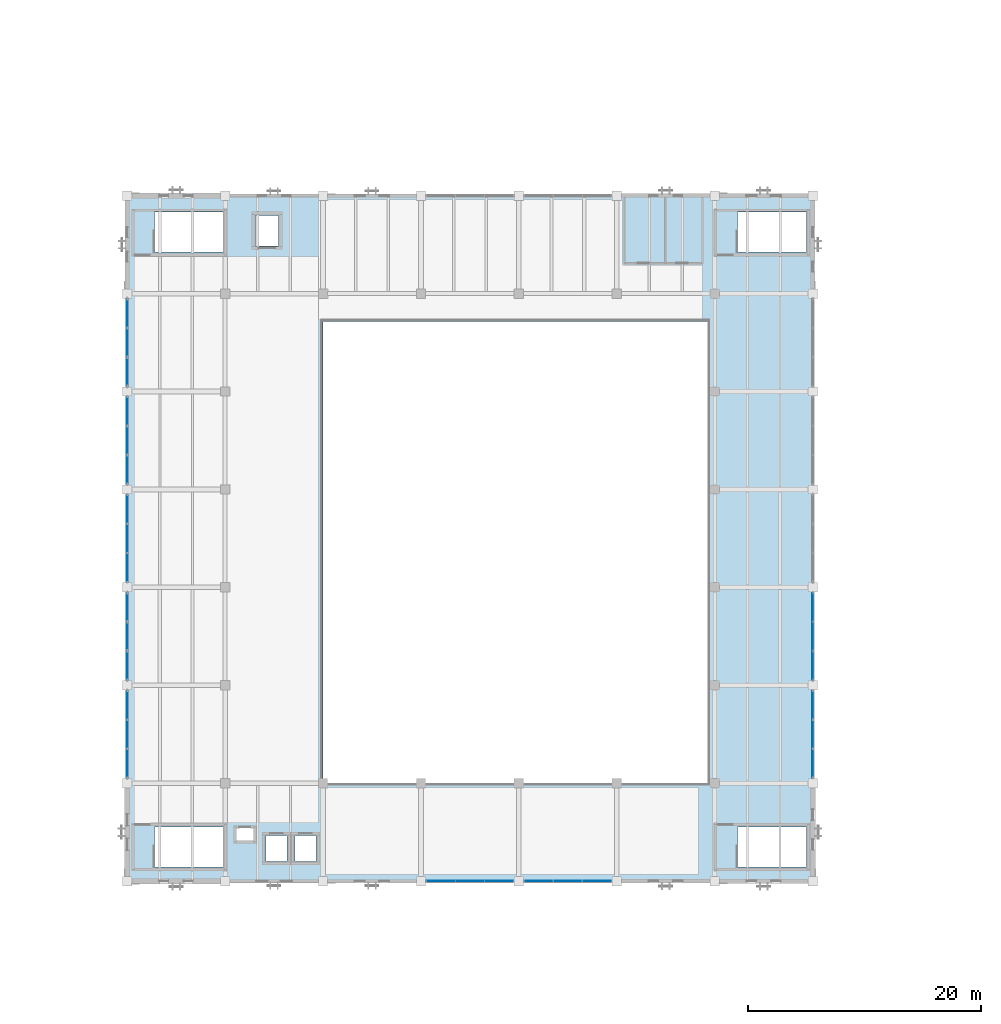
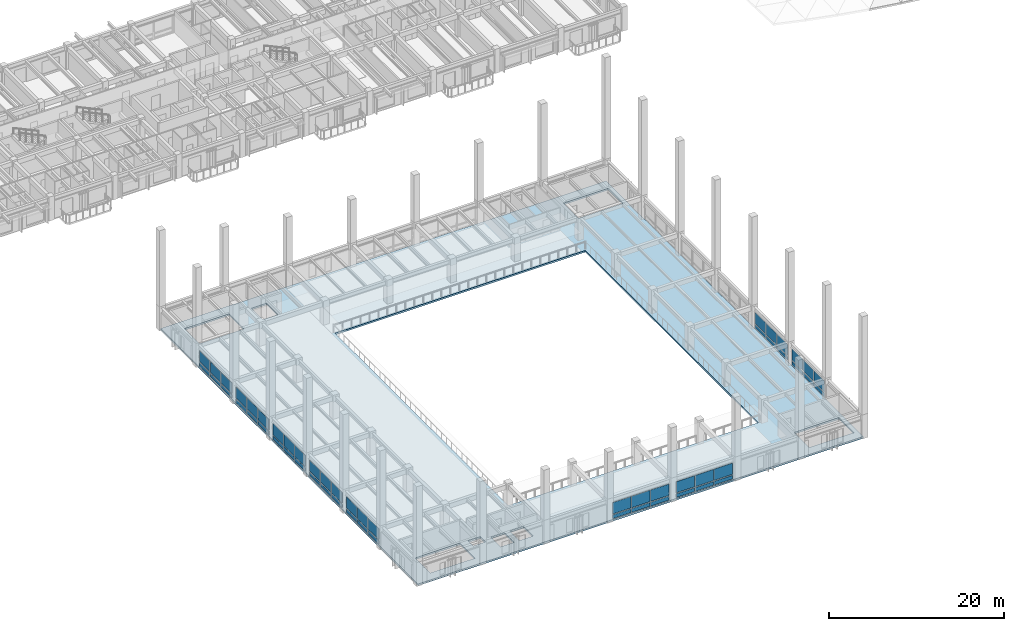
# One storey, part 16 of 64: 54 plates, 1 slab, 9 elements without a shape of their own.
"""IFC4 building model written with IfcOpenShell, lengths in metres."""

from ifc_helpers import new_model, si_unit, direction, frame, origin, origin_2d, place, context, subcontext, project, spatial, polyline, rectangle, outline, extrude, material, layer, layer_set, type_object, element, aggregate, save


model = new_model("IFC4")

# Units and contexts
model_context = context("Model", 3, precision=1e-05, world=origin(), true_north=direction((0.0, 1.0)))
body_context = subcontext(model_context, "Body", "Model", "MODEL_VIEW")
ifc_project = project(units=[si_unit("LENGTHUNIT", "METRE"), si_unit("AREAUNIT", "SQUARE_METRE"), si_unit("VOLUMEUNIT", "CUBIC_METRE"), si_unit("PLANEANGLEUNIT", "RADIAN"), si_unit("MASSUNIT", "GRAM", prefix="KILO")], contexts=[model_context])

# Site, building, storey
site_placement = place(None, origin())
site = spatial("IfcSite", under=ifc_project, at=site_placement, CompositionType="ELEMENT")
building_placement = place(site_placement, origin())
building = spatial("IfcBuilding", under=site, at=building_placement, Name="Cumbredor Promenade Congress Hotel", CompositionType="ELEMENT")
storey_placement = place(building_placement, frame((0.0, 0.0, 18.47998046875)))
storey = spatial("IfcBuildingStorey", under=building, at=storey_placement, Name="L05", CompositionType="ELEMENT", Elevation=18.47998046875)

# Curtain wall, plates
ifc_material_1 = material(Name="Thermally broken anodized aluminium and low-E glass", Category="aluminium")
curtain_wall_type = type_object("IfcCurtainWallType", Name="Unitised Bronze Curtain Wall CW-01", PredefinedType="NOTDEFINED", material=ifc_material_1)
curtain_wall_1_placement = place(storey_placement, origin())
curtain_wall_1 = element("IfcCurtainWall", 1, at=curtain_wall_1_placement, inside=storey, type_object=curtain_wall_type, Name="L05 Plenary Congress Hall South Curtain Wall 4", PredefinedType="NOTDEFINED")
ifc_material_2 = material(Name="Laminated low-E solar-control glass", Category="glass")
ifc_layer_1 = layer(ifc_material_2, 0.028076171875, Name="Laminated low-E solar-control glass", Category="glass")
ifc_layer_set_1 = layer_set([ifc_layer_1], Name="Laminated low-E solar-control glass")
plate_type_1 = type_object("IfcPlateType", Name="Glazed Vision Panel PNL-01", PredefinedType="CURTAIN_PANEL", material=ifc_layer_set_1)
plate_1_placement = place(storey_placement, frame((35.30322265625, 8.39990234375, 0.784912109375), z_axis=(0.0, 0.0, 1.0), x_axis=(1.0, 0.0, 0.0)))
plate_1 = element("IfcPlate", 2, at=plate_1_placement, type_object=plate_type_1, Name="L05 Plenary Congress Hall South Curtain Wall 4 Glazing Panel 1.2", PredefinedType="CURTAIN_PANEL", context=body_context, shape_type="SweptSolid", body=[
    extrude(rectangle(XDim=2.431640625, YDim=0.028076171875, at=origin_2d()), origin(), (0.0, 0.0, 1.0), 1.580078125),
])
plate_2_placement = place(storey_placement, frame((37.800048828125, 8.39990234375, 0.784912109375), z_axis=(0.0, 0.0, 1.0), x_axis=(1.0, 0.0, 0.0)))
plate_2 = element("IfcPlate", 3, at=plate_2_placement, type_object=plate_type_1, Name="L05 Plenary Congress Hall South Curtain Wall 4 Glazing Panel 2.2", PredefinedType="CURTAIN_PANEL", context=body_context, shape_type="SweptSolid", body=[
    extrude(rectangle(XDim=2.431640625, YDim=0.028076171875, at=origin_2d()), origin(), (0.0, 0.0, 1.0), 1.580078125),
])
plate_3_placement = place(storey_placement, frame((40.296630859375, 8.39990234375, 0.784912109375), z_axis=(0.0, 0.0, 1.0), x_axis=(1.0, 0.0, 0.0)))
plate_3 = element("IfcPlate", 4, at=plate_3_placement, type_object=plate_type_1, Name="L05 Plenary Congress Hall South Curtain Wall 4 Glazing Panel 3.2", PredefinedType="CURTAIN_PANEL", context=body_context, shape_type="SweptSolid", body=[
    extrude(rectangle(XDim=2.431640625, YDim=0.028076171875, at=origin_2d()), origin(), (0.0, 0.0, 1.0), 1.580078125),
])

curtain_wall_2_placement = place(storey_placement, origin())
curtain_wall_2 = element("IfcCurtainWall", 5, at=curtain_wall_2_placement, inside=storey, type_object=curtain_wall_type, Name="L05 Plenary Congress Hall West Curtain Wall 4", PredefinedType="NOTDEFINED")
plate_4_placement = place(storey_placement, frame((8.39990234375, 35.30322265625, 0.784912109375), z_axis=(0.0, 0.0, 1.0), x_axis=(0.0, 1.0, 0.0)))
plate_4 = element("IfcPlate", 6, at=plate_4_placement, type_object=plate_type_1, Name="L05 Plenary Congress Hall West Curtain Wall 4 Glazing Panel 1.2", PredefinedType="CURTAIN_PANEL", context=body_context, shape_type="SweptSolid", body=[
    extrude(rectangle(XDim=2.431640625, YDim=0.028076171875, at=origin_2d()), origin(), (0.0, 0.0, 1.0), 1.580078125),
])
plate_5_placement = place(storey_placement, frame((8.39990234375, 37.800048828125, 0.784912109375), z_axis=(0.0, 0.0, 1.0), x_axis=(0.0, 1.0, 0.0)))
plate_5 = element("IfcPlate", 7, at=plate_5_placement, type_object=plate_type_1, Name="L05 Plenary Congress Hall West Curtain Wall 4 Glazing Panel 2.2", PredefinedType="CURTAIN_PANEL", context=body_context, shape_type="SweptSolid", body=[
    extrude(rectangle(XDim=2.431640625, YDim=0.028076171875, at=origin_2d()), origin(), (0.0, 0.0, 1.0), 1.580078125),
])
plate_6_placement = place(storey_placement, frame((8.39990234375, 40.296630859375, 0.784912109375), z_axis=(0.0, 0.0, 1.0), x_axis=(0.0, 1.0, 0.0)))
plate_6 = element("IfcPlate", 8, at=plate_6_placement, type_object=plate_type_1, Name="L05 Plenary Congress Hall West Curtain Wall 4 Glazing Panel 3.2", PredefinedType="CURTAIN_PANEL", context=body_context, shape_type="SweptSolid", body=[
    extrude(rectangle(XDim=2.431640625, YDim=0.028076171875, at=origin_2d()), origin(), (0.0, 0.0, 1.0), 1.580078125),
])

curtain_wall_3_placement = place(storey_placement, origin())
curtain_wall_3 = element("IfcCurtainWall", 9, at=curtain_wall_3_placement, inside=storey, type_object=curtain_wall_type, Name="L05 Plenary Congress Hall East Curtain Wall 2", PredefinedType="NOTDEFINED")
plate_7_placement = place(storey_placement, frame((67.199951171875, 18.50341796875, 0.784912109375), z_axis=(0.0, 0.0, 1.0), x_axis=(0.0, 1.0, 0.0)))
plate_7 = element("IfcPlate", 10, at=plate_7_placement, type_object=plate_type_1, Name="L05 Plenary Congress Hall East Curtain Wall 2 Glazing Panel 1.2", PredefinedType="CURTAIN_PANEL", context=body_context, shape_type="SweptSolid", body=[
    extrude(rectangle(XDim=2.431640625, YDim=0.028076171875, at=origin_2d()), origin(), (0.0, 0.0, 1.0), 1.580078125),
])
plate_8_placement = place(storey_placement, frame((67.199951171875, 21.0, 0.784912109375), z_axis=(0.0, 0.0, 1.0), x_axis=(0.0, 1.0, 0.0)))
plate_8 = element("IfcPlate", 11, at=plate_8_placement, type_object=plate_type_1, Name="L05 Plenary Congress Hall East Curtain Wall 2 Glazing Panel 2.2", PredefinedType="CURTAIN_PANEL", context=body_context, shape_type="SweptSolid", body=[
    extrude(rectangle(XDim=2.431640625, YDim=0.028076171875, at=origin_2d()), origin(), (0.0, 0.0, 1.0), 1.580078125),
])
plate_9_placement = place(storey_placement, frame((67.199951171875, 23.49658203125, 0.784912109375), z_axis=(0.0, 0.0, 1.0), x_axis=(0.0, 1.0, 0.0)))
plate_9 = element("IfcPlate", 12, at=plate_9_placement, type_object=plate_type_1, Name="L05 Plenary Congress Hall East Curtain Wall 2 Glazing Panel 3.2", PredefinedType="CURTAIN_PANEL", context=body_context, shape_type="SweptSolid", body=[
    extrude(rectangle(XDim=2.431640625, YDim=0.028076171875, at=origin_2d()), origin(), (0.0, 0.0, 1.0), 1.580078125),
])

curtain_wall_4_placement = place(storey_placement, origin())
curtain_wall_4 = element("IfcCurtainWall", 13, at=curtain_wall_4_placement, inside=storey, type_object=curtain_wall_type, Name="L05 Plenary Congress Hall South Curtain Wall 5", PredefinedType="NOTDEFINED")
ifc_layer_2 = layer(ifc_material_2, 0.031982421875, Name="Laminated low-E solar-control glass", Category="glass")
ifc_layer_set_2 = layer_set([ifc_layer_2], Name="Laminated low-E solar-control glass")
plate_type_2 = type_object("IfcPlateType", Name="Glazed Vision Panel PNL-02", PredefinedType="CURTAIN_PANEL", material=ifc_layer_set_2)
plate_10_placement = place(storey_placement, frame((43.703369140625, 8.39990234375, 0.794921875), z_axis=(0.0, 0.0, 1.0), x_axis=(1.0, 0.0, 0.0)))
plate_10 = element("IfcPlate", 14, at=plate_10_placement, type_object=plate_type_2, Name="L05 Plenary Congress Hall South Curtain Wall 5 Glazing Panel 1.2", PredefinedType="CURTAIN_PANEL", context=body_context, shape_type="SweptSolid", body=[
    extrude(rectangle(XDim=2.421630859375, YDim=0.031982421875, at=origin_2d()), origin(), (0.0, 0.0, 1.0), 1.550048828125),
])
plate_11_placement = place(storey_placement, frame((46.199951171875, 8.39990234375, 0.794921875), z_axis=(0.0, 0.0, 1.0), x_axis=(1.0, 0.0, 0.0)))
plate_11 = element("IfcPlate", 15, at=plate_11_placement, type_object=plate_type_2, Name="L05 Plenary Congress Hall South Curtain Wall 5 Glazing Panel 2.2", PredefinedType="CURTAIN_PANEL", context=body_context, shape_type="SweptSolid", body=[
    extrude(rectangle(XDim=2.421630859375, YDim=0.031982421875, at=origin_2d()), origin(), (0.0, 0.0, 1.0), 1.550048828125),
])
plate_12_placement = place(storey_placement, frame((48.696533203125, 8.39990234375, 0.794921875), z_axis=(0.0, 0.0, 1.0), x_axis=(1.0, 0.0, 0.0)))
plate_12 = element("IfcPlate", 16, at=plate_12_placement, type_object=plate_type_2, Name="L05 Plenary Congress Hall South Curtain Wall 5 Glazing Panel 3.2", PredefinedType="CURTAIN_PANEL", context=body_context, shape_type="SweptSolid", body=[
    extrude(rectangle(XDim=2.421630859375, YDim=0.031982421875, at=origin_2d()), origin(), (0.0, 0.0, 1.0), 1.550048828125),
])

curtain_wall_5_placement = place(storey_placement, origin())
curtain_wall_5 = element("IfcCurtainWall", 17, at=curtain_wall_5_placement, inside=storey, type_object=curtain_wall_type, Name="L05 Plenary Congress Hall West Curtain Wall 2", PredefinedType="NOTDEFINED")
plate_13_placement = place(storey_placement, frame((8.39990234375, 18.50341796875, 0.794921875), z_axis=(0.0, 0.0, 1.0), x_axis=(0.0, 1.0, 0.0)))
plate_13 = element("IfcPlate", 18, at=plate_13_placement, type_object=plate_type_2, Name="L05 Plenary Congress Hall West Curtain Wall 2 Glazing Panel 1.2", PredefinedType="CURTAIN_PANEL", context=body_context, shape_type="SweptSolid", body=[
    extrude(rectangle(XDim=2.421630859375, YDim=0.031982421875, at=origin_2d()), origin(), (0.0, 0.0, 1.0), 1.550048828125),
])
plate_14_placement = place(storey_placement, frame((8.39990234375, 21.0, 0.794921875), z_axis=(0.0, 0.0, 1.0), x_axis=(0.0, 1.0, 0.0)))
plate_14 = element("IfcPlate", 19, at=plate_14_placement, type_object=plate_type_2, Name="L05 Plenary Congress Hall West Curtain Wall 2 Glazing Panel 2.2", PredefinedType="CURTAIN_PANEL", context=body_context, shape_type="SweptSolid", body=[
    extrude(rectangle(XDim=2.421630859375, YDim=0.031982421875, at=origin_2d()), origin(), (0.0, 0.0, 1.0), 1.550048828125),
])
plate_15_placement = place(storey_placement, frame((8.39990234375, 23.49658203125, 0.794921875), z_axis=(0.0, 0.0, 1.0), x_axis=(0.0, 1.0, 0.0)))
plate_15 = element("IfcPlate", 20, at=plate_15_placement, type_object=plate_type_2, Name="L05 Plenary Congress Hall West Curtain Wall 2 Glazing Panel 3.2", PredefinedType="CURTAIN_PANEL", context=body_context, shape_type="SweptSolid", body=[
    extrude(rectangle(XDim=2.421630859375, YDim=0.031982421875, at=origin_2d()), origin(), (0.0, 0.0, 1.0), 1.550048828125),
])

curtain_wall_6_placement = place(storey_placement, origin())
curtain_wall_6 = element("IfcCurtainWall", 21, at=curtain_wall_6_placement, inside=storey, type_object=curtain_wall_type, Name="L05 Plenary Congress Hall West Curtain Wall 5", PredefinedType="NOTDEFINED")
plate_16_placement = place(storey_placement, frame((8.39990234375, 43.703369140625, 0.794921875), z_axis=(0.0, 0.0, 1.0), x_axis=(0.0, 1.0, 0.0)))
plate_16 = element("IfcPlate", 22, at=plate_16_placement, type_object=plate_type_2, Name="L05 Plenary Congress Hall West Curtain Wall 5 Glazing Panel 1.2", PredefinedType="CURTAIN_PANEL", context=body_context, shape_type="SweptSolid", body=[
    extrude(rectangle(XDim=2.421630859375, YDim=0.031982421875, at=origin_2d()), origin(), (0.0, 0.0, 1.0), 1.550048828125),
])
plate_17_placement = place(storey_placement, frame((8.39990234375, 46.199951171875, 0.794921875), z_axis=(0.0, 0.0, 1.0), x_axis=(0.0, 1.0, 0.0)))
plate_17 = element("IfcPlate", 23, at=plate_17_placement, type_object=plate_type_2, Name="L05 Plenary Congress Hall West Curtain Wall 5 Glazing Panel 2.2", PredefinedType="CURTAIN_PANEL", context=body_context, shape_type="SweptSolid", body=[
    extrude(rectangle(XDim=2.421630859375, YDim=0.031982421875, at=origin_2d()), origin(), (0.0, 0.0, 1.0), 1.550048828125),
])
plate_18_placement = place(storey_placement, frame((8.39990234375, 48.696533203125, 0.794921875), z_axis=(0.0, 0.0, 1.0), x_axis=(0.0, 1.0, 0.0)))
plate_18 = element("IfcPlate", 24, at=plate_18_placement, type_object=plate_type_2, Name="L05 Plenary Congress Hall West Curtain Wall 5 Glazing Panel 3.2", PredefinedType="CURTAIN_PANEL", context=body_context, shape_type="SweptSolid", body=[
    extrude(rectangle(XDim=2.421630859375, YDim=0.031982421875, at=origin_2d()), origin(), (0.0, 0.0, 1.0), 1.550048828125),
])

curtain_wall_7_placement = place(storey_placement, origin())
curtain_wall_7 = element("IfcCurtainWall", 25, at=curtain_wall_7_placement, inside=storey, type_object=curtain_wall_type, Name="L05 Plenary Congress Hall East Curtain Wall 3", PredefinedType="NOTDEFINED")
plate_19_placement = place(storey_placement, frame((67.199951171875, 26.9033203125, 0.794921875), z_axis=(0.0, 0.0, 1.0), x_axis=(0.0, 1.0, 0.0)))
plate_19 = element("IfcPlate", 26, at=plate_19_placement, type_object=plate_type_2, Name="L05 Plenary Congress Hall East Curtain Wall 3 Glazing Panel 1.2", PredefinedType="CURTAIN_PANEL", context=body_context, shape_type="SweptSolid", body=[
    extrude(rectangle(XDim=2.421630859375, YDim=0.031982421875, at=origin_2d()), origin(), (0.0, 0.0, 1.0), 1.550048828125),
])
plate_20_placement = place(storey_placement, frame((67.199951171875, 29.39990234375, 0.794921875), z_axis=(0.0, 0.0, 1.0), x_axis=(0.0, 1.0, 0.0)))
plate_20 = element("IfcPlate", 27, at=plate_20_placement, type_object=plate_type_2, Name="L05 Plenary Congress Hall East Curtain Wall 3 Glazing Panel 2.2", PredefinedType="CURTAIN_PANEL", context=body_context, shape_type="SweptSolid", body=[
    extrude(rectangle(XDim=2.421630859375, YDim=0.031982421875, at=origin_2d()), origin(), (0.0, 0.0, 1.0), 1.550048828125),
])
plate_21_placement = place(storey_placement, frame((67.199951171875, 31.896728515625, 0.794921875), z_axis=(0.0, 0.0, 1.0), x_axis=(0.0, 1.0, 0.0)))
plate_21 = element("IfcPlate", 28, at=plate_21_placement, type_object=plate_type_2, Name="L05 Plenary Congress Hall East Curtain Wall 3 Glazing Panel 3.2", PredefinedType="CURTAIN_PANEL", context=body_context, shape_type="SweptSolid", body=[
    extrude(rectangle(XDim=2.421630859375, YDim=0.031982421875, at=origin_2d()), origin(), (0.0, 0.0, 1.0), 1.550048828125),
])

curtain_wall_8_placement = place(storey_placement, origin())
curtain_wall_8 = element("IfcCurtainWall", 29, at=curtain_wall_8_placement, inside=storey, type_object=curtain_wall_type, Name="L05 Plenary Congress Hall West Curtain Wall 3", PredefinedType="NOTDEFINED")
ifc_layer_3 = layer(ifc_material_2, 0.028076171875, Name="Laminated low-E solar-control glass", Category="glass")
ifc_layer_set_3 = layer_set([ifc_layer_3], Name="Laminated low-E solar-control glass")
plate_type_3 = type_object("IfcPlateType", Name="Glazed Vision Panel PNL-03", PredefinedType="CURTAIN_PANEL", material=ifc_layer_set_3)
plate_22_placement = place(storey_placement, frame((8.39990234375, 26.9033203125, 0.81005859375), z_axis=(0.0, 0.0, 1.0), x_axis=(0.0, 1.0, 0.0)))
plate_22 = element("IfcPlate", 30, at=plate_22_placement, type_object=plate_type_3, Name="L05 Plenary Congress Hall West Curtain Wall 3 Glazing Panel 1.2", PredefinedType="CURTAIN_PANEL", context=body_context, shape_type="SweptSolid", body=[
    extrude(rectangle(XDim=2.416748046875, YDim=0.028076171875, at=origin_2d()), origin(), (0.0, 0.0, 1.0), 1.5),
])
plate_23_placement = place(storey_placement, frame((8.39990234375, 29.39990234375, 0.81005859375), z_axis=(0.0, 0.0, 1.0), x_axis=(0.0, 1.0, 0.0)))
plate_23 = element("IfcPlate", 31, at=plate_23_placement, type_object=plate_type_3, Name="L05 Plenary Congress Hall West Curtain Wall 3 Glazing Panel 2.2", PredefinedType="CURTAIN_PANEL", context=body_context, shape_type="SweptSolid", body=[
    extrude(rectangle(XDim=2.41650390625, YDim=0.028076171875, at=origin_2d()), origin(), (0.0, 0.0, 1.0), 1.5),
])
plate_24_placement = place(storey_placement, frame((8.39990234375, 31.896728515625, 0.81005859375), z_axis=(0.0, 0.0, 1.0), x_axis=(0.0, 1.0, 0.0)))
plate_24 = element("IfcPlate", 32, at=plate_24_placement, type_object=plate_type_3, Name="L05 Plenary Congress Hall West Curtain Wall 3 Glazing Panel 3.2", PredefinedType="CURTAIN_PANEL", context=body_context, shape_type="SweptSolid", body=[
    extrude(rectangle(XDim=2.416748046875, YDim=0.028076171875, at=origin_2d()), origin(), (0.0, 0.0, 1.0), 1.5),
])

curtain_wall_9_placement = place(storey_placement, origin())
curtain_wall_9 = element("IfcCurtainWall", 33, at=curtain_wall_9_placement, inside=storey, type_object=curtain_wall_type, Name="L05 Plenary Congress Hall West Curtain Wall 6", PredefinedType="NOTDEFINED")
plate_25_placement = place(storey_placement, frame((8.39990234375, 52.103515625, 0.81005859375), z_axis=(0.0, 0.0, 1.0), x_axis=(0.0, 1.0, 0.0)))
plate_25 = element("IfcPlate", 34, at=plate_25_placement, type_object=plate_type_3, Name="L05 Plenary Congress Hall West Curtain Wall 6 Glazing Panel 1.2", PredefinedType="CURTAIN_PANEL", context=body_context, shape_type="SweptSolid", body=[
    extrude(rectangle(XDim=2.416748046875, YDim=0.028076171875, at=origin_2d()), origin(), (0.0, 0.0, 1.0), 1.5),
])
plate_26_placement = place(storey_placement, frame((8.39990234375, 54.60009765625, 0.81005859375), z_axis=(0.0, 0.0, 1.0), x_axis=(0.0, 1.0, 0.0)))
plate_26 = element("IfcPlate", 35, at=plate_26_placement, type_object=plate_type_3, Name="L05 Plenary Congress Hall West Curtain Wall 6 Glazing Panel 2.2", PredefinedType="CURTAIN_PANEL", context=body_context, shape_type="SweptSolid", body=[
    extrude(rectangle(XDim=2.41650390625, YDim=0.028076171875, at=origin_2d()), origin(), (0.0, 0.0, 1.0), 1.5),
])
plate_27_placement = place(storey_placement, frame((8.39990234375, 57.0966796875, 0.81005859375), z_axis=(0.0, 0.0, 1.0), x_axis=(0.0, 1.0, 0.0)))
plate_27 = element("IfcPlate", 36, at=plate_27_placement, type_object=plate_type_3, Name="L05 Plenary Congress Hall West Curtain Wall 6 Glazing Panel 3.2", PredefinedType="CURTAIN_PANEL", context=body_context, shape_type="SweptSolid", body=[
    extrude(rectangle(XDim=2.416748046875, YDim=0.028076171875, at=origin_2d()), origin(), (0.0, 0.0, 1.0), 1.5),
])

# Slab
ifc_material_3 = material(Name="Concrete C40/50", Category="concrete")
ifc_layer_4 = layer(ifc_material_3, 0.239990234375, Name="Concrete C40/50", Category="concrete")
ifc_layer_set_4 = layer_set([ifc_layer_4], Name="Concrete C40/50")
slab_type = type_object("IfcSlabType", Name="Hotel Typical Floor Slab 240mm", PredefinedType="FLOOR", material=ifc_layer_set_4)
slab_placement = place(storey_placement, frame((0.0, 0.0, -0.239990234375)))
element("IfcSlab", 37, at=slab_placement, inside=storey, type_object=slab_type, Name="L05 Plenary Congress Hall Floor Slab", PredefinedType="FLOOR", context=body_context, shape_type="SweptSolid", body=[
    extrude(outline(polyline([(8.39990234375, 8.39990234375), (67.199951171875, 8.39990234375), (67.199951171875, 67.199951171875), (8.39990234375, 67.199951171875), (8.39990234375, 8.39990234375)]), holes=[polyline([(10.75, 9.60009765625), (16.64990234375, 9.60009765625), (16.64990234375, 13.050048828125), (10.75, 13.050048828125), (10.75, 9.60009765625)]), polyline([(60.75, 9.60009765625), (66.64990234375, 9.60009765625), (66.64990234375, 13.050048828125), (60.75, 13.050048828125), (60.75, 9.60009765625)]), polyline([(10.75, 62.35009765625), (16.64990234375, 62.35009765625), (16.64990234375, 65.800048828125), (10.75, 65.800048828125), (10.75, 62.35009765625)]), polyline([(60.75, 62.35009765625), (66.64990234375, 62.35009765625), (66.64990234375, 65.800048828125), (60.75, 65.800048828125), (60.75, 62.35009765625)]), polyline([(20.300048828125, 10.10009765625), (22.10009765625, 10.10009765625), (22.10009765625, 12.300048828125), (20.300048828125, 12.300048828125), (20.300048828125, 10.10009765625)]), polyline([(22.800048828125, 10.10009765625), (24.60009765625, 10.10009765625), (24.60009765625, 12.300048828125), (22.800048828125, 12.300048828125), (22.800048828125, 10.10009765625)]), polyline([(19.39990234375, 62.89990234375), (21.39990234375, 62.89990234375), (21.39990234375, 65.5), (19.39990234375, 65.5), (19.39990234375, 62.89990234375)]), polyline([(17.699951171875, 11.800048828125), (19.300048828125, 11.800048828125), (19.300048828125, 13.0), (17.699951171875, 13.0), (17.699951171875, 11.800048828125)]), polyline([(25.199951171875, 16.800048828125), (58.199951171875, 16.800048828125), (58.199951171875, 56.39990234375), (25.199951171875, 56.39990234375), (25.199951171875, 16.800048828125)])]), origin(), (0.0, 0.0, 1.0), 0.239990234375),
])

# Plate
ifc_material_4 = material(Name="Thermally broken anodized aluminium", Category="aluminium")
ifc_layer_5 = layer(ifc_material_4, 0.0400390625, Name="Thermally broken anodized aluminium", Category="aluminium")
ifc_layer_set_5 = layer_set([ifc_layer_5], Name="Thermally broken anodized aluminium")
plate_type_4 = type_object("IfcPlateType", Name="Insulated Spandrel Panel PNL-05", PredefinedType="CURTAIN_PANEL", material=ifc_layer_set_5)
plate_28_placement = place(storey_placement, frame((43.703369140625, 8.39990234375, 0.14501953125), z_axis=(0.0, 0.0, 1.0), x_axis=(1.0, 0.0, 0.0)))
plate_28 = element("IfcPlate", 38, at=plate_28_placement, type_object=plate_type_4, Name="L05 Plenary Congress Hall South Curtain Wall 5 Spandrel Panel 1.1", PredefinedType="CURTAIN_PANEL", context=body_context, shape_type="SweptSolid", body=[
    extrude(rectangle(XDim=2.421630859375, YDim=0.0400390625, at=origin_2d()), origin(), (0.0, 0.0, 1.0), 0.5),
])

plate_29_placement = place(storey_placement, frame((46.199951171875, 8.39990234375, 0.14501953125), z_axis=(0.0, 0.0, 1.0), x_axis=(1.0, 0.0, 0.0)))
plate_29 = element("IfcPlate", 39, at=plate_29_placement, type_object=plate_type_4, Name="L05 Plenary Congress Hall South Curtain Wall 5 Spandrel Panel 2.1", PredefinedType="CURTAIN_PANEL", context=body_context, shape_type="SweptSolid", body=[
    extrude(rectangle(XDim=2.421630859375, YDim=0.0400390625, at=origin_2d()), origin(), (0.0, 0.0, 1.0), 0.5),
])

plate_30_placement = place(storey_placement, frame((48.696533203125, 8.39990234375, 0.14501953125), z_axis=(0.0, 0.0, 1.0), x_axis=(1.0, 0.0, 0.0)))
plate_30 = element("IfcPlate", 40, at=plate_30_placement, type_object=plate_type_4, Name="L05 Plenary Congress Hall South Curtain Wall 5 Spandrel Panel 3.1", PredefinedType="CURTAIN_PANEL", context=body_context, shape_type="SweptSolid", body=[
    extrude(rectangle(XDim=2.421630859375, YDim=0.0400390625, at=origin_2d()), origin(), (0.0, 0.0, 1.0), 0.5),
])

aggregate(curtain_wall_4, [plate_28, plate_10, plate_29, plate_11, plate_30, plate_12])

plate_31_placement = place(storey_placement, frame((8.39990234375, 26.9033203125, 0.18017578125), z_axis=(0.0, 0.0, 1.0), x_axis=(0.0, 1.0, 0.0)))
plate_31 = element("IfcPlate", 41, at=plate_31_placement, type_object=plate_type_4, Name="L05 Plenary Congress Hall West Curtain Wall 3 Spandrel Panel 1.1", PredefinedType="CURTAIN_PANEL", context=body_context, shape_type="SweptSolid", body=[
    extrude(rectangle(XDim=2.416748046875, YDim=0.0400390625, at=origin_2d()), origin(), (0.0, 0.0, 1.0), 0.449951171875),
])

plate_32_placement = place(storey_placement, frame((8.39990234375, 29.39990234375, 0.18017578125), z_axis=(0.0, 0.0, 1.0), x_axis=(0.0, 1.0, 0.0)))
plate_32 = element("IfcPlate", 42, at=plate_32_placement, type_object=plate_type_4, Name="L05 Plenary Congress Hall West Curtain Wall 3 Spandrel Panel 2.1", PredefinedType="CURTAIN_PANEL", context=body_context, shape_type="SweptSolid", body=[
    extrude(rectangle(XDim=2.41650390625, YDim=0.0400390625, at=origin_2d()), origin(), (0.0, 0.0, 1.0), 0.449951171875),
])

plate_33_placement = place(storey_placement, frame((8.39990234375, 31.896728515625, 0.18017578125), z_axis=(0.0, 0.0, 1.0), x_axis=(0.0, 1.0, 0.0)))
plate_33 = element("IfcPlate", 43, at=plate_33_placement, type_object=plate_type_4, Name="L05 Plenary Congress Hall West Curtain Wall 3 Spandrel Panel 3.1", PredefinedType="CURTAIN_PANEL", context=body_context, shape_type="SweptSolid", body=[
    extrude(rectangle(XDim=2.416748046875, YDim=0.0400390625, at=origin_2d()), origin(), (0.0, 0.0, 1.0), 0.449951171875),
])

aggregate(curtain_wall_8, [plate_31, plate_22, plate_32, plate_23, plate_33, plate_24])

plate_34_placement = place(storey_placement, frame((8.39990234375, 43.703369140625, 0.14501953125), z_axis=(0.0, 0.0, 1.0), x_axis=(0.0, 1.0, 0.0)))
plate_34 = element("IfcPlate", 44, at=plate_34_placement, type_object=plate_type_4, Name="L05 Plenary Congress Hall West Curtain Wall 5 Spandrel Panel 1.1", PredefinedType="CURTAIN_PANEL", context=body_context, shape_type="SweptSolid", body=[
    extrude(rectangle(XDim=2.421630859375, YDim=0.0400390625, at=origin_2d()), origin(), (0.0, 0.0, 1.0), 0.5),
])

plate_35_placement = place(storey_placement, frame((8.39990234375, 46.199951171875, 0.14501953125), z_axis=(0.0, 0.0, 1.0), x_axis=(0.0, 1.0, 0.0)))
plate_35 = element("IfcPlate", 45, at=plate_35_placement, type_object=plate_type_4, Name="L05 Plenary Congress Hall West Curtain Wall 5 Spandrel Panel 2.1", PredefinedType="CURTAIN_PANEL", context=body_context, shape_type="SweptSolid", body=[
    extrude(rectangle(XDim=2.421630859375, YDim=0.0400390625, at=origin_2d()), origin(), (0.0, 0.0, 1.0), 0.5),
])

plate_36_placement = place(storey_placement, frame((8.39990234375, 48.696533203125, 0.14501953125), z_axis=(0.0, 0.0, 1.0), x_axis=(0.0, 1.0, 0.0)))
plate_36 = element("IfcPlate", 46, at=plate_36_placement, type_object=plate_type_4, Name="L05 Plenary Congress Hall West Curtain Wall 5 Spandrel Panel 3.1", PredefinedType="CURTAIN_PANEL", context=body_context, shape_type="SweptSolid", body=[
    extrude(rectangle(XDim=2.421630859375, YDim=0.0400390625, at=origin_2d()), origin(), (0.0, 0.0, 1.0), 0.5),
])

aggregate(curtain_wall_6, [plate_34, plate_16, plate_35, plate_17, plate_36, plate_18])

plate_37_placement = place(storey_placement, frame((67.199951171875, 18.50341796875, 0.135009765625), z_axis=(0.0, 0.0, 1.0), x_axis=(0.0, 1.0, 0.0)))
plate_37 = element("IfcPlate", 47, at=plate_37_placement, type_object=plate_type_4, Name="L05 Plenary Congress Hall East Curtain Wall 2 Spandrel Panel 1.1", PredefinedType="CURTAIN_PANEL", context=body_context, shape_type="SweptSolid", body=[
    extrude(rectangle(XDim=2.431640625, YDim=0.0400390625, at=origin_2d()), origin(), (0.0, 0.0, 1.0), 0.52001953125),
])

plate_38_placement = place(storey_placement, frame((67.199951171875, 21.0, 0.135009765625), z_axis=(0.0, 0.0, 1.0), x_axis=(0.0, 1.0, 0.0)))
plate_38 = element("IfcPlate", 48, at=plate_38_placement, type_object=plate_type_4, Name="L05 Plenary Congress Hall East Curtain Wall 2 Spandrel Panel 2.1", PredefinedType="CURTAIN_PANEL", context=body_context, shape_type="SweptSolid", body=[
    extrude(rectangle(XDim=2.431640625, YDim=0.0400390625, at=origin_2d()), origin(), (0.0, 0.0, 1.0), 0.52001953125),
])

plate_39_placement = place(storey_placement, frame((67.199951171875, 23.49658203125, 0.135009765625), z_axis=(0.0, 0.0, 1.0), x_axis=(0.0, 1.0, 0.0)))
plate_39 = element("IfcPlate", 49, at=plate_39_placement, type_object=plate_type_4, Name="L05 Plenary Congress Hall East Curtain Wall 2 Spandrel Panel 3.1", PredefinedType="CURTAIN_PANEL", context=body_context, shape_type="SweptSolid", body=[
    extrude(rectangle(XDim=2.431640625, YDim=0.0400390625, at=origin_2d()), origin(), (0.0, 0.0, 1.0), 0.52001953125),
])

aggregate(curtain_wall_3, [plate_37, plate_7, plate_38, plate_8, plate_39, plate_9])

ifc_layer_6 = layer(ifc_material_4, 0.0400390625, Name="Thermally broken anodized aluminium", Category="aluminium")
ifc_layer_set_6 = layer_set([ifc_layer_6], Name="Thermally broken anodized aluminium")
plate_type_5 = type_object("IfcPlateType", Name="Insulated Spandrel Panel PNL-06", PredefinedType="CURTAIN_PANEL", material=ifc_layer_set_6)
plate_40_placement = place(storey_placement, frame((35.30322265625, 8.39990234375, 0.135009765625), z_axis=(0.0, 0.0, 1.0), x_axis=(1.0, 0.0, 0.0)))
plate_40 = element("IfcPlate", 50, at=plate_40_placement, type_object=plate_type_5, Name="L05 Plenary Congress Hall South Curtain Wall 4 Spandrel Panel 1.1", PredefinedType="CURTAIN_PANEL", context=body_context, shape_type="SweptSolid", body=[
    extrude(rectangle(XDim=2.431640625, YDim=0.0400390625, at=origin_2d()), origin(), (0.0, 0.0, 1.0), 0.52001953125),
])

plate_41_placement = place(storey_placement, frame((37.800048828125, 8.39990234375, 0.135009765625), z_axis=(0.0, 0.0, 1.0), x_axis=(1.0, 0.0, 0.0)))
plate_41 = element("IfcPlate", 51, at=plate_41_placement, type_object=plate_type_5, Name="L05 Plenary Congress Hall South Curtain Wall 4 Spandrel Panel 2.1", PredefinedType="CURTAIN_PANEL", context=body_context, shape_type="SweptSolid", body=[
    extrude(rectangle(XDim=2.431640625, YDim=0.0400390625, at=origin_2d()), origin(), (0.0, 0.0, 1.0), 0.52001953125),
])

plate_42_placement = place(storey_placement, frame((40.296630859375, 8.39990234375, 0.135009765625), z_axis=(0.0, 0.0, 1.0), x_axis=(1.0, 0.0, 0.0)))
plate_42 = element("IfcPlate", 52, at=plate_42_placement, type_object=plate_type_5, Name="L05 Plenary Congress Hall South Curtain Wall 4 Spandrel Panel 3.1", PredefinedType="CURTAIN_PANEL", context=body_context, shape_type="SweptSolid", body=[
    extrude(rectangle(XDim=2.431640625, YDim=0.0400390625, at=origin_2d()), origin(), (0.0, 0.0, 1.0), 0.52001953125),
])

aggregate(curtain_wall_1, [plate_40, plate_1, plate_41, plate_2, plate_42, plate_3])

plate_43_placement = place(storey_placement, frame((8.39990234375, 18.50341796875, 0.14501953125), z_axis=(0.0, 0.0, 1.0), x_axis=(0.0, 1.0, 0.0)))
plate_43 = element("IfcPlate", 53, at=plate_43_placement, type_object=plate_type_5, Name="L05 Plenary Congress Hall West Curtain Wall 2 Spandrel Panel 1.1", PredefinedType="CURTAIN_PANEL", context=body_context, shape_type="SweptSolid", body=[
    extrude(rectangle(XDim=2.421630859375, YDim=0.0400390625, at=origin_2d()), origin(), (0.0, 0.0, 1.0), 0.5),
])

plate_44_placement = place(storey_placement, frame((8.39990234375, 21.0, 0.14501953125), z_axis=(0.0, 0.0, 1.0), x_axis=(0.0, 1.0, 0.0)))
plate_44 = element("IfcPlate", 54, at=plate_44_placement, type_object=plate_type_5, Name="L05 Plenary Congress Hall West Curtain Wall 2 Spandrel Panel 2.1", PredefinedType="CURTAIN_PANEL", context=body_context, shape_type="SweptSolid", body=[
    extrude(rectangle(XDim=2.421630859375, YDim=0.0400390625, at=origin_2d()), origin(), (0.0, 0.0, 1.0), 0.5),
])

plate_45_placement = place(storey_placement, frame((8.39990234375, 23.49658203125, 0.14501953125), z_axis=(0.0, 0.0, 1.0), x_axis=(0.0, 1.0, 0.0)))
plate_45 = element("IfcPlate", 55, at=plate_45_placement, type_object=plate_type_5, Name="L05 Plenary Congress Hall West Curtain Wall 2 Spandrel Panel 3.1", PredefinedType="CURTAIN_PANEL", context=body_context, shape_type="SweptSolid", body=[
    extrude(rectangle(XDim=2.421630859375, YDim=0.0400390625, at=origin_2d()), origin(), (0.0, 0.0, 1.0), 0.5),
])

aggregate(curtain_wall_5, [plate_43, plate_13, plate_44, plate_14, plate_45, plate_15])

plate_46_placement = place(storey_placement, frame((8.39990234375, 35.30322265625, 0.135009765625), z_axis=(0.0, 0.0, 1.0), x_axis=(0.0, 1.0, 0.0)))
plate_46 = element("IfcPlate", 56, at=plate_46_placement, type_object=plate_type_5, Name="L05 Plenary Congress Hall West Curtain Wall 4 Spandrel Panel 1.1", PredefinedType="CURTAIN_PANEL", context=body_context, shape_type="SweptSolid", body=[
    extrude(rectangle(XDim=2.431640625, YDim=0.0400390625, at=origin_2d()), origin(), (0.0, 0.0, 1.0), 0.52001953125),
])

plate_47_placement = place(storey_placement, frame((8.39990234375, 37.800048828125, 0.135009765625), z_axis=(0.0, 0.0, 1.0), x_axis=(0.0, 1.0, 0.0)))
plate_47 = element("IfcPlate", 57, at=plate_47_placement, type_object=plate_type_5, Name="L05 Plenary Congress Hall West Curtain Wall 4 Spandrel Panel 2.1", PredefinedType="CURTAIN_PANEL", context=body_context, shape_type="SweptSolid", body=[
    extrude(rectangle(XDim=2.431640625, YDim=0.0400390625, at=origin_2d()), origin(), (0.0, 0.0, 1.0), 0.52001953125),
])

plate_48_placement = place(storey_placement, frame((8.39990234375, 40.296630859375, 0.135009765625), z_axis=(0.0, 0.0, 1.0), x_axis=(0.0, 1.0, 0.0)))
plate_48 = element("IfcPlate", 58, at=plate_48_placement, type_object=plate_type_5, Name="L05 Plenary Congress Hall West Curtain Wall 4 Spandrel Panel 3.1", PredefinedType="CURTAIN_PANEL", context=body_context, shape_type="SweptSolid", body=[
    extrude(rectangle(XDim=2.431640625, YDim=0.0400390625, at=origin_2d()), origin(), (0.0, 0.0, 1.0), 0.52001953125),
])

aggregate(curtain_wall_2, [plate_46, plate_4, plate_47, plate_5, plate_48, plate_6])

plate_49_placement = place(storey_placement, frame((8.39990234375, 52.103515625, 0.18017578125), z_axis=(0.0, 0.0, 1.0), x_axis=(0.0, 1.0, 0.0)))
plate_49 = element("IfcPlate", 59, at=plate_49_placement, type_object=plate_type_5, Name="L05 Plenary Congress Hall West Curtain Wall 6 Spandrel Panel 1.1", PredefinedType="CURTAIN_PANEL", context=body_context, shape_type="SweptSolid", body=[
    extrude(rectangle(XDim=2.416748046875, YDim=0.0400390625, at=origin_2d()), origin(), (0.0, 0.0, 1.0), 0.449951171875),
])

plate_50_placement = place(storey_placement, frame((8.39990234375, 54.60009765625, 0.18017578125), z_axis=(0.0, 0.0, 1.0), x_axis=(0.0, 1.0, 0.0)))
plate_50 = element("IfcPlate", 60, at=plate_50_placement, type_object=plate_type_5, Name="L05 Plenary Congress Hall West Curtain Wall 6 Spandrel Panel 2.1", PredefinedType="CURTAIN_PANEL", context=body_context, shape_type="SweptSolid", body=[
    extrude(rectangle(XDim=2.41650390625, YDim=0.0400390625, at=origin_2d()), origin(), (0.0, 0.0, 1.0), 0.449951171875),
])

plate_51_placement = place(storey_placement, frame((8.39990234375, 57.0966796875, 0.18017578125), z_axis=(0.0, 0.0, 1.0), x_axis=(0.0, 1.0, 0.0)))
plate_51 = element("IfcPlate", 61, at=plate_51_placement, type_object=plate_type_5, Name="L05 Plenary Congress Hall West Curtain Wall 6 Spandrel Panel 3.1", PredefinedType="CURTAIN_PANEL", context=body_context, shape_type="SweptSolid", body=[
    extrude(rectangle(XDim=2.416748046875, YDim=0.0400390625, at=origin_2d()), origin(), (0.0, 0.0, 1.0), 0.449951171875),
])

aggregate(curtain_wall_9, [plate_49, plate_25, plate_50, plate_26, plate_51, plate_27])

plate_52_placement = place(storey_placement, frame((67.199951171875, 26.9033203125, 0.14501953125), z_axis=(0.0, 0.0, 1.0), x_axis=(0.0, 1.0, 0.0)))
plate_52 = element("IfcPlate", 62, at=plate_52_placement, type_object=plate_type_5, Name="L05 Plenary Congress Hall East Curtain Wall 3 Spandrel Panel 1.1", PredefinedType="CURTAIN_PANEL", context=body_context, shape_type="SweptSolid", body=[
    extrude(rectangle(XDim=2.421630859375, YDim=0.0400390625, at=origin_2d()), origin(), (0.0, 0.0, 1.0), 0.5),
])

plate_53_placement = place(storey_placement, frame((67.199951171875, 29.39990234375, 0.14501953125), z_axis=(0.0, 0.0, 1.0), x_axis=(0.0, 1.0, 0.0)))
plate_53 = element("IfcPlate", 63, at=plate_53_placement, type_object=plate_type_5, Name="L05 Plenary Congress Hall East Curtain Wall 3 Spandrel Panel 2.1", PredefinedType="CURTAIN_PANEL", context=body_context, shape_type="SweptSolid", body=[
    extrude(rectangle(XDim=2.421630859375, YDim=0.0400390625, at=origin_2d()), origin(), (0.0, 0.0, 1.0), 0.5),
])

plate_54_placement = place(storey_placement, frame((67.199951171875, 31.896728515625, 0.14501953125), z_axis=(0.0, 0.0, 1.0), x_axis=(0.0, 1.0, 0.0)))
plate_54 = element("IfcPlate", 64, at=plate_54_placement, type_object=plate_type_5, Name="L05 Plenary Congress Hall East Curtain Wall 3 Spandrel Panel 3.1", PredefinedType="CURTAIN_PANEL", context=body_context, shape_type="SweptSolid", body=[
    extrude(rectangle(XDim=2.421630859375, YDim=0.0400390625, at=origin_2d()), origin(), (0.0, 0.0, 1.0), 0.5),
])

aggregate(curtain_wall_7, [plate_52, plate_19, plate_53, plate_20, plate_54, plate_21])

save(model, "model.ifc")
